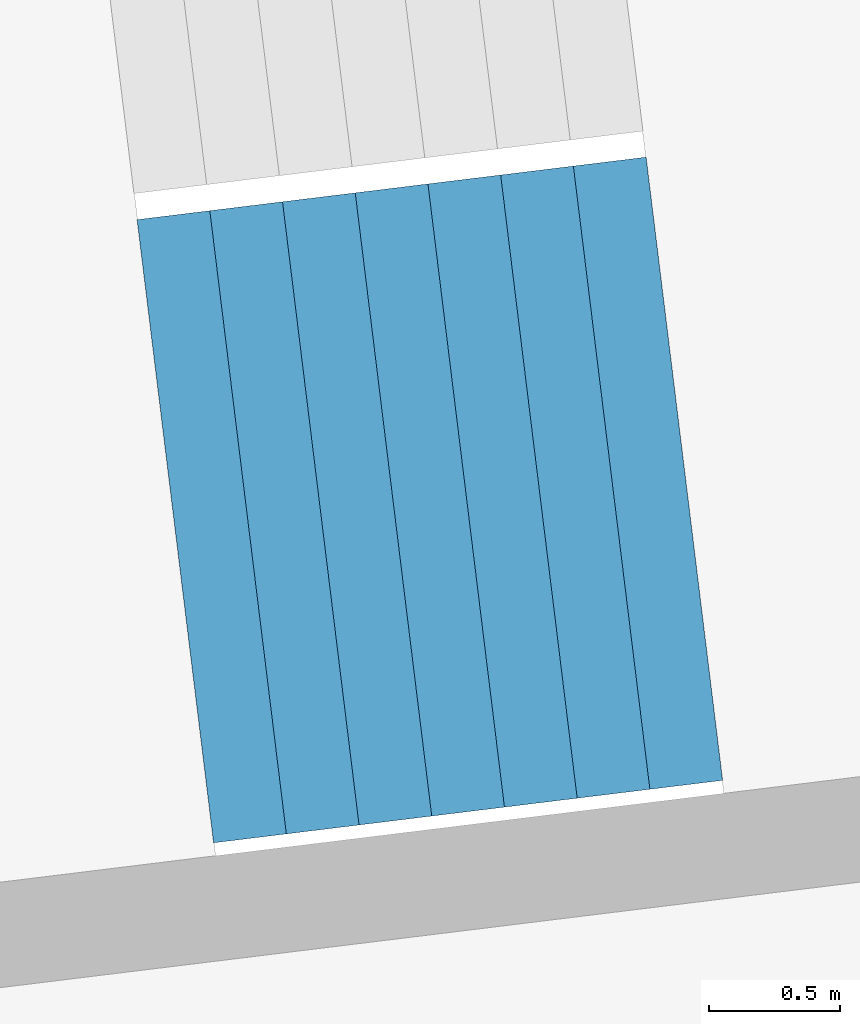
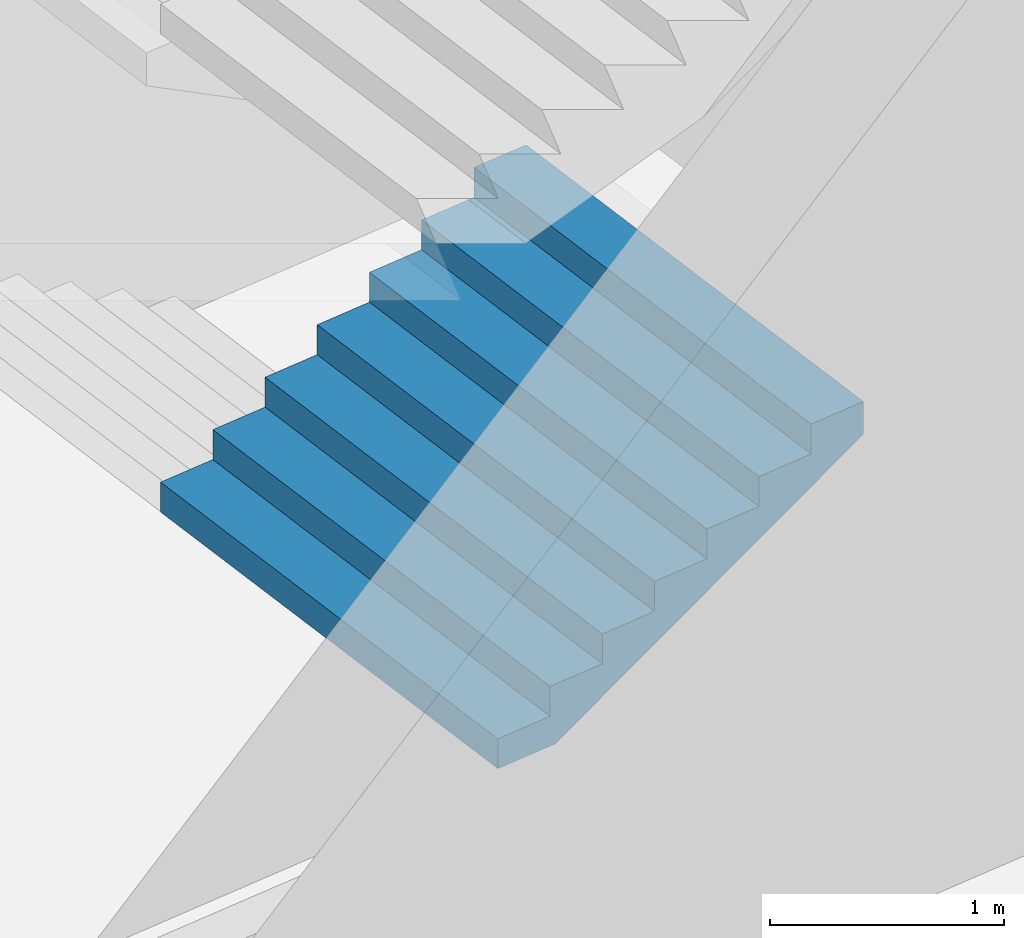
# One storey, part 23 of 73: 1 stair flight, 1 element without a shape of its own.
"""IFC4 building model written with IfcOpenShell, lengths in metres."""

import ifcopenshell
import ifcopenshell.guid

model = None  # the IFC model being written
_history = None  # IfcOwnerHistory: only IFC2X3 demands one
_inside = {}  # id of a spatial element -> (the spatial element, [elements in it])
_under = {}  # id of a project, library or spatial element -> (it, [spatial elements below it])
_declared = {}  # id of a project -> (the project, [libraries it declares])
_typed = {}  # id of a type object -> (the type object, [elements of that type])
_made_of = {}  # id of a material, layer set ... -> (it, [elements and type objects made of it])


def new_model(schema):
    """Start an empty IFC model of exactly this schema.

    Asked for "IFC4X3", IfcOpenShell would pick the latest addendum, in which some entities
    have other attributes; the version numbers below select the first issue.
    IFC2X3 requires an IfcOwnerHistory on every rooted entity: one is made here for all.
    """
    global model, _history
    if schema == "IFC4X3":
        model = ifcopenshell.file(schema_version=(4, 3, 0, 0))
    else:
        model = ifcopenshell.file(schema=schema)
    _inside.clear()
    _under.clear()
    _declared.clear()
    _typed.clear()
    _made_of.clear()
    _history = None
    if model.schema == "IFC2X3":
        org = make("IfcOrganization", Name="unknown")
        user = make(
            "IfcPersonAndOrganization",
            ThePerson=make("IfcPerson", FamilyName="unknown"),
            TheOrganization=org,
        )
        app = make(
            "IfcApplication",
            ApplicationDeveloper=org,
            Version="unknown",
            ApplicationFullName="unknown",
            ApplicationIdentifier="unknown",
        )
        _history = make(
            "IfcOwnerHistory",
            OwningUser=user,
            OwningApplication=app,
            ChangeAction="ADDED",
            CreationDate=0,
        )
    return model


def make(cls, **values):
    """One entity of the class cls with the attributes given. An attribute that is None is left unset."""
    return model.create_entity(
        cls, **{name: value for name, value in values.items() if value is not None}
    )


def rooted(cls, **values):
    """An entity with a GlobalId (a new one), such as an element, a storey or a relation."""
    return make(cls, GlobalId=ifcopenshell.guid.new(), OwnerHistory=_history, **values)


def si_unit(unit_type, name, prefix=None):
    """IfcSIUnit, for example si_unit("LENGTHUNIT", "METRE", prefix="MILLI")."""
    return make("IfcSIUnit", UnitType=unit_type, Prefix=prefix, Name=name)


def assignment(units):
    """IfcUnitAssignment: the units of a project."""
    return None if units is None else make("IfcUnitAssignment", Units=units)


def point(xyz):
    """IfcCartesianPoint."""
    return None if xyz is None else make("IfcCartesianPoint", Coordinates=xyz)


def direction(xyz):
    """IfcDirection."""
    return None if xyz is None else make("IfcDirection", DirectionRatios=xyz)


def frame(location, z_axis=None, x_axis=None):
    """IfcAxis2Placement3D, a coordinate frame: its origin and axes. An axis left out is left unset."""
    return make(
        "IfcAxis2Placement3D",
        Location=point(location),
        Axis=direction(z_axis),
        RefDirection=direction(x_axis),
    )


def origin():
    """The frame at (0, 0, 0) with its axes left unset."""
    return frame((0.0, 0.0, 0.0))


def place(relative_to, where):
    """IfcLocalPlacement: puts the frame where relative to a parent placement (None: the world)."""
    return make(
        "IfcLocalPlacement", PlacementRelTo=relative_to, RelativePlacement=where
    )


def context(
    kind, dimensions, precision=None, world=None, true_north=None, identifier=None
):
    """IfcGeometricRepresentationContext, for example the 3D "Model" context."""
    return make(
        "IfcGeometricRepresentationContext",
        ContextIdentifier=identifier,
        ContextType=kind,
        CoordinateSpaceDimension=dimensions,
        Precision=precision,
        WorldCoordinateSystem=world,
        TrueNorth=true_north,
    )


def subcontext(parent, identifier, kind, view, scale=None):
    """IfcGeometricRepresentationSubContext, for example "Body" below "Model"."""
    return make(
        "IfcGeometricRepresentationSubContext",
        ContextIdentifier=identifier,
        ContextType=kind,
        ParentContext=parent,
        TargetScale=scale,
        TargetView=view,
    )


def project(units=None, contexts=None):
    """IfcProject with its units and contexts."""
    return rooted(
        "IfcProject",
        Name="project",
        RepresentationContexts=contexts,
        UnitsInContext=assignment(units),
    )


def spatial(cls, under=None, at=None, **own):
    """A site, building, storey or space (cls), placed at a placement, below another one or the project."""
    s = rooted(cls, ObjectPlacement=at, **own)
    if under is not None:
        _under.setdefault(under.id(), (under, []))[1].append(s)
    return s


def point_list(points):
    """IfcCartesianPointList2D or 3D."""
    cls = (
        "IfcCartesianPointList2D" if len(points[0]) == 2 else "IfcCartesianPointList3D"
    )
    return make(cls, CoordList=points)


def triangles(points, corners, closed=None, point_numbers=None):
    """IfcTriangulatedFaceSet: each triangle names its three corners, points numbered from 1."""
    return make(
        "IfcTriangulatedFaceSet",
        Coordinates=point_list(points),
        Closed=closed,
        CoordIndex=corners,
        PnIndex=point_numbers,
    )


def shape(context_of_items, identifier, shape_type, items):
    """IfcShapeRepresentation: the items that make up one representation, for example the "Body"."""
    return make(
        "IfcShapeRepresentation",
        ContextOfItems=context_of_items,
        RepresentationIdentifier=identifier,
        RepresentationType=shape_type,
        Items=items,
    )


def material(Name=None, Category=None):
    """IfcMaterial."""
    return make("IfcMaterial", Name=Name, Category=Category)


def made_of(thing, what):
    """Note that an element or type object is made of a material, layer set ...; save() writes the relation."""
    if what is not None:
        _made_of.setdefault(what.id(), (what, []))[1].append(thing)
    return thing


def type_object(cls, material=None, **own):
    """A type object (cls), such as IfcWallType, which elements share."""
    return made_of(rooted(cls, **own), material)


def element(
    cls,
    number,
    at=None,
    inside=None,
    cuts=None,
    type_object=None,
    material=None,
    context=None,
    identifier="Body",
    shape_type=None,
    held_by="IfcProductDefinitionShape",
    body=None,
    shapes=None,
    **own,
):
    """One element of the class cls, such as IfcWall. Its Tag is "e" and its number.

    at: its placement. inside: the storey or other place that contains it. cuts: it is an
    opening in that element (IfcRelVoidsElement). A single representation is given by context,
    identifier, shape_type and body (its items); several are given by shapes. held_by: the class
    of the entity that holds the representations. save() writes the other relations.
    """
    e = rooted(cls, Tag="e%d" % number, ObjectPlacement=at, **own)
    if body is not None:
        shapes = [shape(context, identifier, shape_type, body)]
    if shapes is not None:
        e.Representation = make(held_by, Representations=shapes)
    if inside is not None:
        _inside.setdefault(inside.id(), (inside, []))[1].append(e)
    if cuts is not None:
        rooted(
            "IfcRelVoidsElement", RelatingBuildingElement=cuts, RelatedOpeningElement=e
        )
    if type_object is not None:
        _typed.setdefault(type_object.id(), (type_object, []))[1].append(e)
    return made_of(e, material)


def aggregate(whole, parts):
    """IfcRelAggregates: a whole, such as a stair, and the parts it consists of."""
    return rooted("IfcRelAggregates", RelatingObject=whole, RelatedObjects=parts)


def save(model, path):
    """Write the relations noted so far, then the file.

    IfcRelAggregates (storeys below a building ...), IfcRelContainedInSpatialStructure (elements
    in a storey), IfcRelDefinesByType, IfcRelAssociatesMaterial and IfcRelDeclares: one each for
    every whole, place, type object, material and project.
    """
    for whole, parts in _under.values():
        aggregate(whole, parts)
    for where, things in _inside.values():
        rooted(
            "IfcRelContainedInSpatialStructure",
            RelatedElements=things,
            RelatingStructure=where,
        )
    for kind, things in _typed.values():
        rooted("IfcRelDefinesByType", RelatedObjects=things, RelatingType=kind)
    for what, things in _made_of.values():
        rooted("IfcRelAssociatesMaterial", RelatedObjects=things, RelatingMaterial=what)
    for by, libraries in _declared.values():
        rooted("IfcRelDeclares", RelatingContext=by, RelatedDefinitions=libraries)
    model.write(path)


model = new_model("IFC4")

# Units and contexts
model_context = context("Model", 3, precision=1e-05, world=origin(), true_north=direction((0.0, 1.0)))
body_context = subcontext(model_context, "Body", "Model", "MODEL_VIEW")
ifc_project = project(units=[si_unit("LENGTHUNIT", "METRE"), si_unit("AREAUNIT", "SQUARE_METRE"), si_unit("VOLUMEUNIT", "CUBIC_METRE"), si_unit("PLANEANGLEUNIT", "RADIAN"), si_unit("MASSUNIT", "GRAM", prefix="KILO")], contexts=[model_context])

# Site, building, storey
site_placement = place(None, origin())
site = spatial("IfcSite", under=ifc_project, at=site_placement, CompositionType="ELEMENT")
building_placement = place(site_placement, origin())
building = spatial("IfcBuilding", under=site, at=building_placement, Name="Lantaw Convention Tower", CompositionType="ELEMENT")
storey_placement = place(building_placement, frame((0.0, 0.0, 27.0)))
storey = spatial("IfcBuildingStorey", under=building, at=storey_placement, Name="L04", CompositionType="ELEMENT", Elevation=27.0)

# Stair, stair flight
ifc_material = material(Name="Concrete C35/45", Category="concrete")
stair_type = type_object("IfcStairType", Name="Exit stair 2400 riser 156.25 in 4 flights", PredefinedType="HALF_TURN_STAIR", material=ifc_material)
stair_placement = place(storey_placement, origin())
stair = element("IfcStair", 1, at=stair_placement, inside=storey, type_object=stair_type, Name="Podium exit stair P10 L04", PredefinedType="HALF_TURN_STAIR")
stair_flight_type = type_object("IfcStairFlightType", Name="Stair flight 2400 riser 156.25", PredefinedType="STRAIGHT", material=ifc_material)
stair_flight_placement = place(storey_placement, frame((-36.802978515625, -5.7783203125, 1.25), z_axis=(0.0, 0.0, 1.0), x_axis=(0.992546151641, 0.121869343405, 0.0)))
stair_flight = element("IfcStairFlight", 2, at=stair_flight_placement, type_object=stair_flight_type, Name="P10 flight 2", NumberOfRisers=8, NumberOfTreads=7, PredefinedType="STRAIGHT", RiserHeight=0.15625, TreadLength=0.28, context=body_context, shape_type="Tessellation", body=[
    triangles([(0.0, 1.199951171875, 0.0), (0.0, 1.199951171875, 0.15625), (0.28, 1.199951171875, 0.0), (0.28, 1.199951171875, 0.15625), (0.28, 1.199951171875, 0.3125), (0.3076200632058044, 1.199951171875, 0.0), (0.3076200632058044, 1.199951171875, 0.3125), (0.56, 1.199951171875, 0.14083701830033238), (0.56, 1.199951171875, 0.3125), (0.56, 1.199951171875, 0.46875), (0.8400000000000001, 1.199951171875, 0.29708701830033235), (0.8400000000000001, 1.199951171875, 0.46875), (0.8400000000000001, 1.199951171875, 0.625), (1.12, 1.199951171875, 0.45333701830033235), (1.12, 1.199951171875, 0.625), (1.12, 1.199951171875, 0.78125), (1.4000000000000001, 1.199951171875, 0.6095870183003324), (1.4000000000000001, 1.199951171875, 0.78125), (1.4000000000000001, 1.199951171875, 0.9375), (1.6800000000000002, 1.199951171875, 0.7658370183003324), (1.6800000000000002, 1.199951171875, 0.9375), (1.6800000000000002, 1.199951171875, 1.09375), (1.9600000000000002, 1.199951171875, 0.9220870183003324), (1.9600000000000002, 1.199951171875, 1.09375), (0.0, -1.199951171875, 0.0), (0.0, -1.199951171875, 0.15625), (0.28, -1.199951171875, 0.0), (0.28, -1.199951171875, 0.15625), (0.28, -1.199951171875, 0.3125), (0.3076200632058044, -1.199951171875, 0.0), (0.3076200632058044, -1.199951171875, 0.3125), (0.56, -1.199951171875, 0.14083701830033238), (0.56, -1.199951171875, 0.3125), (0.56, -1.199951171875, 0.46875), (0.8400000000000001, -1.199951171875, 0.29708701830033235), (0.8400000000000001, -1.199951171875, 0.46875), (0.8400000000000001, -1.199951171875, 0.625), (1.12, -1.199951171875, 0.45333701830033235), (1.12, -1.199951171875, 0.625), (1.12, -1.199951171875, 0.78125), (1.4000000000000001, -1.199951171875, 0.6095870183003324), (1.4000000000000001, -1.199951171875, 0.78125), (1.4000000000000001, -1.199951171875, 0.9375), (1.6800000000000002, -1.199951171875, 0.7658370183003324), (1.6800000000000002, -1.199951171875, 0.9375), (1.6800000000000002, -1.199951171875, 1.09375), (1.9600000000000002, -1.199951171875, 0.9220870183003324), (1.9600000000000002, -1.199951171875, 1.09375), (0.0, 0.239990234375, 0.15625), (0.0, 0.239990234375, 0.0), (0.0, 0.1919921875, 0.15625), (0.0, 0.1919921875, 0.0), (0.0, 0.143994140625, 0.15625), (0.0, 0.143994140625, 0.0), (0.0, 0.09599609375, 0.15625), (0.0, 0.09599609375, 0.0), (0.0, 0.047998046875, 0.15625), (0.0, 0.047998046875, 0.0), (0.0, 0.0, 0.15625), (0.0, 0.0, 0.0), (0.0, -0.047998046875, 0.15625), (0.0, -0.047998046875, 0.0), (0.0, -0.09599609375, 0.15625), (0.0, -0.09599609375, 0.0), (0.0, -0.143994140625, 0.15625), (0.0, -0.143994140625, 0.0), (0.0, -0.1919921875, 0.15625), (0.0, -0.1919921875, 0.0), (0.0, -0.239990234375, 0.15625), (0.0, -0.239990234375, 0.0), (0.28, 0.239990234375, 0.3125), (0.28, 0.239990234375, 0.15625), (0.28, 0.1919921875, 0.3125), (0.28, 0.1919921875, 0.15625), (0.28, 0.143994140625, 0.3125), (0.28, 0.143994140625, 0.15625), (0.28, 0.09599609375, 0.3125), (0.28, 0.09599609375, 0.15625), (0.28, 0.047998046875, 0.3125), (0.28, 0.047998046875, 0.15625), (0.28, 0.0, 0.3125), (0.28, 0.0, 0.15625), (0.28, -0.047998046875, 0.3125), (0.28, -0.047998046875, 0.15625), (0.28, -0.09599609375, 0.3125), (0.28, -0.09599609375, 0.15625), (0.28, -0.143994140625, 0.3125), (0.28, -0.143994140625, 0.15625), (0.28, -0.1919921875, 0.3125), (0.28, -0.1919921875, 0.15625), (0.28, -0.239990234375, 0.3125), (0.28, -0.239990234375, 0.15625), (0.56, 0.239990234375, 0.46875), (0.56, 0.239990234375, 0.3125), (0.56, 0.1919921875, 0.46875), (0.56, 0.1919921875, 0.3125), (0.56, 0.143994140625, 0.46875), (0.56, 0.143994140625, 0.3125), (0.56, 0.09599609375, 0.46875), (0.56, 0.09599609375, 0.3125), (0.56, 0.047998046875, 0.46875), (0.56, 0.047998046875, 0.3125), (0.56, 0.0, 0.46875), (0.56, 0.0, 0.3125), (0.56, -0.047998046875, 0.46875), (0.56, -0.047998046875, 0.3125), (0.56, -0.09599609375, 0.46875), (0.56, -0.09599609375, 0.3125), (0.56, -0.143994140625, 0.46875), (0.56, -0.143994140625, 0.3125), (0.56, -0.1919921875, 0.46875), (0.56, -0.1919921875, 0.3125), (0.56, -0.239990234375, 0.46875), (0.56, -0.239990234375, 0.3125), (0.8400000000000001, 0.239990234375, 0.625), (0.8400000000000001, 0.239990234375, 0.46875), (0.8400000000000001, 0.1919921875, 0.625), (0.8400000000000001, 0.1919921875, 0.46875), (0.8400000000000001, 0.143994140625, 0.625), (0.8400000000000001, 0.143994140625, 0.46875), (0.8400000000000001, 0.09599609375, 0.625), (0.8400000000000001, 0.09599609375, 0.46875), (0.8400000000000001, 0.047998046875, 0.625), (0.8400000000000001, 0.047998046875, 0.46875), (0.8400000000000001, 0.0, 0.625), (0.8400000000000001, 0.0, 0.46875), (0.8400000000000001, -0.047998046875, 0.625), (0.8400000000000001, -0.047998046875, 0.46875), (0.8400000000000001, -0.09599609375, 0.625), (0.8400000000000001, -0.09599609375, 0.46875), (0.8400000000000001, -0.143994140625, 0.625), (0.8400000000000001, -0.143994140625, 0.46875), (0.8400000000000001, -0.1919921875, 0.625), (0.8400000000000001, -0.1919921875, 0.46875), (0.8400000000000001, -0.239990234375, 0.625), (0.8400000000000001, -0.239990234375, 0.46875), (1.12, 0.239990234375, 0.78125), (1.12, 0.239990234375, 0.625), (1.12, 0.1919921875, 0.78125), (1.12, 0.1919921875, 0.625), (1.12, 0.143994140625, 0.78125), (1.12, 0.143994140625, 0.625), (1.12, 0.09599609375, 0.78125), (1.12, 0.09599609375, 0.625), (1.12, 0.047998046875, 0.78125), (1.12, 0.047998046875, 0.625), (1.12, 0.0, 0.78125), (1.12, 0.0, 0.625), (1.12, -0.047998046875, 0.78125), (1.12, -0.047998046875, 0.625), (1.12, -0.09599609375, 0.78125), (1.12, -0.09599609375, 0.625), (1.12, -0.143994140625, 0.78125), (1.12, -0.143994140625, 0.625), (1.12, -0.1919921875, 0.78125), (1.12, -0.1919921875, 0.625), (1.12, -0.239990234375, 0.78125), (1.12, -0.239990234375, 0.625), (1.4000000000000001, 0.239990234375, 0.9375), (1.4000000000000001, 0.239990234375, 0.78125), (1.4000000000000001, 0.1919921875, 0.9375), (1.4000000000000001, 0.1919921875, 0.78125), (1.4000000000000001, 0.143994140625, 0.9375), (1.4000000000000001, 0.143994140625, 0.78125), (1.4000000000000001, 0.09599609375, 0.9375), (1.4000000000000001, 0.09599609375, 0.78125), (1.4000000000000001, 0.047998046875, 0.9375), (1.4000000000000001, 0.047998046875, 0.78125), (1.4000000000000001, 0.0, 0.9375), (1.4000000000000001, 0.0, 0.78125), (1.4000000000000001, -0.047998046875, 0.9375), (1.4000000000000001, -0.047998046875, 0.78125), (1.4000000000000001, -0.09599609375, 0.9375), (1.4000000000000001, -0.09599609375, 0.78125), (1.4000000000000001, -0.143994140625, 0.9375), (1.4000000000000001, -0.143994140625, 0.78125), (1.4000000000000001, -0.1919921875, 0.9375), (1.4000000000000001, -0.1919921875, 0.78125), (1.4000000000000001, -0.239990234375, 0.9375), (1.4000000000000001, -0.239990234375, 0.78125), (1.6800000000000002, 0.239990234375, 1.09375), (1.6800000000000002, 0.239990234375, 0.9375), (1.6800000000000002, 0.1919921875, 1.09375), (1.6800000000000002, 0.1919921875, 0.9375), (1.6800000000000002, 0.143994140625, 1.09375), (1.6800000000000002, 0.143994140625, 0.9375), (1.6800000000000002, 0.09599609375, 1.09375), (1.6800000000000002, 0.09599609375, 0.9375), (1.6800000000000002, 0.047998046875, 1.09375), (1.6800000000000002, 0.047998046875, 0.9375), (1.6800000000000002, 0.0, 1.09375), (1.6800000000000002, 0.0, 0.9375), (1.6800000000000002, -0.047998046875, 1.09375), (1.6800000000000002, -0.047998046875, 0.9375), (1.6800000000000002, -0.09599609375, 1.09375), (1.6800000000000002, -0.09599609375, 0.9375), (1.6800000000000002, -0.143994140625, 1.09375), (1.6800000000000002, -0.143994140625, 0.9375), (1.6800000000000002, -0.1919921875, 1.09375), (1.6800000000000002, -0.1919921875, 0.9375), (1.6800000000000002, -0.239990234375, 1.09375), (1.6800000000000002, -0.239990234375, 0.9375), (0.3076200632058044, 0.239990234375, 0.3125), (0.3076200632058044, 0.1919921875, 0.3125), (0.3076200632058044, 0.143994140625, 0.3125), (0.3076200632058044, 0.09599609375, 0.3125), (0.3076200632058044, 0.047998046875, 0.3125), (0.3076200632058044, 0.0, 0.3125), (0.3076200632058044, -0.047998046875, 0.3125), (0.3076200632058044, -0.09599609375, 0.3125), (0.3076200632058044, -0.143994140625, 0.3125), (0.3076200632058044, -0.1919921875, 0.3125), (0.3076200632058044, -0.239990234375, 0.3125), (1.9600000000000002, 0.239990234375, 1.09375), (1.9600000000000002, 0.1919921875, 1.09375), (1.9600000000000002, 0.143994140625, 1.09375), (1.9600000000000002, 0.09599609375, 1.09375), (1.9600000000000002, 0.047998046875, 1.09375), (1.9600000000000002, 0.0, 1.09375), (1.9600000000000002, -0.047998046875, 1.09375), (1.9600000000000002, -0.09599609375, 1.09375), (1.9600000000000002, -0.143994140625, 1.09375), (1.9600000000000002, -0.1919921875, 1.09375), (1.9600000000000002, -0.239990234375, 1.09375), (1.9600000000000002, 0.239990234375, 0.9220870183003324), (1.9600000000000002, 0.1919921875, 0.9220870183003324), (1.9600000000000002, 0.143994140625, 0.9220870183003324), (1.9600000000000002, 0.09599609375, 0.9220870183003324), (1.9600000000000002, 0.047998046875, 0.9220870183003324), (1.9600000000000002, 0.0, 0.9220870183003324), (1.9600000000000002, -0.047998046875, 0.9220870183003324), (1.9600000000000002, -0.09599609375, 0.9220870183003324), (1.9600000000000002, -0.143994140625, 0.9220870183003324), (1.9600000000000002, -0.1919921875, 0.9220870183003324), (1.9600000000000002, -0.239990234375, 0.9220870183003324), (1.6800000000000002, 0.239990234375, 0.7658370183003324), (1.6800000000000002, 0.1919921875, 0.7658370183003324), (1.6800000000000002, 0.143994140625, 0.7658370183003324), (1.6800000000000002, 0.09599609375, 0.7658370183003324), (1.6800000000000002, 0.047998046875, 0.7658370183003324), (1.6800000000000002, 0.0, 0.7658370183003324), (1.6800000000000002, -0.047998046875, 0.7658370183003324), (1.6800000000000002, -0.09599609375, 0.7658370183003324), (1.6800000000000002, -0.143994140625, 0.7658370183003324), (1.6800000000000002, -0.1919921875, 0.7658370183003324), (1.6800000000000002, -0.239990234375, 0.7658370183003324), (1.4000000000000001, 0.239990234375, 0.6095870183003324), (1.4000000000000001, 0.1919921875, 0.6095870183003324), (1.4000000000000001, 0.143994140625, 0.6095870183003324), (1.4000000000000001, 0.09599609375, 0.6095870183003324), (1.4000000000000001, 0.047998046875, 0.6095870183003324), (1.4000000000000001, 0.0, 0.6095870183003324), (1.4000000000000001, -0.047998046875, 0.6095870183003324), (1.4000000000000001, -0.09599609375, 0.6095870183003324), (1.4000000000000001, -0.143994140625, 0.6095870183003324), (1.4000000000000001, -0.1919921875, 0.6095870183003324), (1.4000000000000001, -0.239990234375, 0.6095870183003324), (1.12, 0.239990234375, 0.45333701830033235), (1.12, 0.1919921875, 0.45333701830033235), (1.12, 0.143994140625, 0.45333701830033235), (1.12, 0.09599609375, 0.45333701830033235), (1.12, 0.047998046875, 0.45333701830033235), (1.12, 0.0, 0.45333701830033235), (1.12, -0.047998046875, 0.45333701830033235), (1.12, -0.09599609375, 0.45333701830033235), (1.12, -0.143994140625, 0.45333701830033235), (1.12, -0.1919921875, 0.45333701830033235), (1.12, -0.239990234375, 0.45333701830033235), (0.8400000000000001, 0.239990234375, 0.29708701830033235), (0.8400000000000001, 0.1919921875, 0.29708701830033235), (0.8400000000000001, 0.143994140625, 0.29708701830033235), (0.8400000000000001, 0.09599609375, 0.29708701830033235), (0.8400000000000001, 0.047998046875, 0.29708701830033235), (0.8400000000000001, 0.0, 0.29708701830033235), (0.8400000000000001, -0.047998046875, 0.29708701830033235), (0.8400000000000001, -0.09599609375, 0.29708701830033235), (0.8400000000000001, -0.143994140625, 0.29708701830033235), (0.8400000000000001, -0.1919921875, 0.29708701830033235), (0.8400000000000001, -0.239990234375, 0.29708701830033235), (0.56, 0.239990234375, 0.14083701830033238), (0.56, 0.1919921875, 0.14083701830033238), (0.56, 0.143994140625, 0.14083701830033238), (0.56, 0.09599609375, 0.14083701830033238), (0.56, 0.047998046875, 0.14083701830033238), (0.56, 0.0, 0.14083701830033238), (0.56, -0.047998046875, 0.14083701830033238), (0.56, -0.09599609375, 0.14083701830033238), (0.56, -0.143994140625, 0.14083701830033238), (0.56, -0.1919921875, 0.14083701830033238), (0.56, -0.239990234375, 0.14083701830033238), (0.3076200632058044, 0.239990234375, 0.0), (0.3076200632058044, 0.1919921875, 0.0), (0.3076200632058044, 0.143994140625, 0.0), (0.3076200632058044, 0.09599609375, 0.0), (0.3076200632058044, 0.047998046875, 0.0), (0.3076200632058044, 0.0, 0.0), (0.3076200632058044, -0.047998046875, 0.0), (0.3076200632058044, -0.09599609375, 0.0), (0.3076200632058044, -0.143994140625, 0.0), (0.3076200632058044, -0.1919921875, 0.0), (0.3076200632058044, -0.239990234375, 0.0), (0.28, 0.239990234375, 0.0), (0.28, 0.1919921875, 0.0), (0.28, 0.143994140625, 0.0), (0.28, 0.09599609375, 0.0), (0.28, 0.047998046875, 0.0), (0.28, 0.0, 0.0), (0.28, -0.047998046875, 0.0), (0.28, -0.09599609375, 0.0), (0.28, -0.143994140625, 0.0), (0.28, -0.1919921875, 0.0), (0.28, -0.239990234375, 0.0)], [[1, 4, 3], [1, 2, 4], [3, 4, 6], [4, 7, 6], [4, 5, 7], [6, 9, 8], [6, 7, 9], [8, 9, 11], [9, 12, 11], [9, 10, 12], [11, 12, 14], [12, 15, 14], [12, 13, 15], [14, 15, 17], [15, 18, 17], [15, 16, 18], [17, 18, 20], [18, 21, 20], [18, 19, 21], [20, 21, 23], [21, 24, 23], [21, 22, 24], [25, 27, 28], [25, 28, 26], [27, 30, 28], [28, 30, 31], [28, 31, 29], [30, 32, 33], [30, 33, 31], [32, 35, 33], [33, 35, 36], [33, 36, 34], [35, 38, 36], [36, 38, 39], [36, 39, 37], [38, 41, 39], [39, 41, 42], [39, 42, 40], [41, 44, 42], [42, 44, 45], [42, 45, 43], [44, 47, 45], [45, 47, 48], [45, 48, 46], [1, 49, 2], [1, 50, 49], [50, 51, 49], [50, 52, 51], [52, 53, 51], [52, 54, 53], [54, 55, 53], [54, 56, 55], [56, 57, 55], [56, 58, 57], [58, 59, 57], [58, 60, 59], [60, 61, 59], [60, 62, 61], [62, 63, 61], [62, 64, 63], [64, 65, 63], [64, 66, 65], [66, 67, 65], [66, 68, 67], [68, 69, 67], [68, 70, 69], [70, 26, 69], [70, 25, 26], [4, 71, 5], [4, 72, 71], [72, 73, 71], [72, 74, 73], [74, 75, 73], [74, 76, 75], [76, 77, 75], [76, 78, 77], [78, 79, 77], [78, 80, 79], [80, 81, 79], [80, 82, 81], [82, 83, 81], [82, 84, 83], [84, 85, 83], [84, 86, 85], [86, 87, 85], [86, 88, 87], [88, 89, 87], [88, 90, 89], [90, 91, 89], [90, 92, 91], [92, 29, 91], [92, 28, 29], [9, 93, 10], [9, 94, 93], [94, 95, 93], [94, 96, 95], [96, 97, 95], [96, 98, 97], [98, 99, 97], [98, 100, 99], [100, 101, 99], [100, 102, 101], [102, 103, 101], [102, 104, 103], [104, 105, 103], [104, 106, 105], [106, 107, 105], [106, 108, 107], [108, 109, 107], [108, 110, 109], [110, 111, 109], [110, 112, 111], [112, 113, 111], [112, 114, 113], [114, 34, 113], [114, 33, 34], [12, 115, 13], [12, 116, 115], [116, 117, 115], [116, 118, 117], [118, 119, 117], [118, 120, 119], [120, 121, 119], [120, 122, 121], [122, 123, 121], [122, 124, 123], [124, 125, 123], [124, 126, 125], [126, 127, 125], [126, 128, 127], [128, 129, 127], [128, 130, 129], [130, 131, 129], [130, 132, 131], [132, 133, 131], [132, 134, 133], [134, 135, 133], [134, 136, 135], [136, 37, 135], [136, 36, 37], [15, 137, 16], [15, 138, 137], [138, 139, 137], [138, 140, 139], [140, 141, 139], [140, 142, 141], [142, 143, 141], [142, 144, 143], [144, 145, 143], [144, 146, 145], [146, 147, 145], [146, 148, 147], [148, 149, 147], [148, 150, 149], [150, 151, 149], [150, 152, 151], [152, 153, 151], [152, 154, 153], [154, 155, 153], [154, 156, 155], [156, 157, 155], [156, 158, 157], [158, 40, 157], [158, 39, 40], [18, 159, 19], [18, 160, 159], [160, 161, 159], [160, 162, 161], [162, 163, 161], [162, 164, 163], [164, 165, 163], [164, 166, 165], [166, 167, 165], [166, 168, 167], [168, 169, 167], [168, 170, 169], [170, 171, 169], [170, 172, 171], [172, 173, 171], [172, 174, 173], [174, 175, 173], [174, 176, 175], [176, 177, 175], [176, 178, 177], [178, 179, 177], [178, 180, 179], [180, 43, 179], [180, 42, 43], [21, 181, 22], [21, 182, 181], [182, 183, 181], [182, 184, 183], [184, 185, 183], [184, 186, 185], [186, 187, 185], [186, 188, 187], [188, 189, 187], [188, 190, 189], [190, 191, 189], [190, 192, 191], [192, 193, 191], [192, 194, 193], [194, 195, 193], [194, 196, 195], [196, 197, 195], [196, 198, 197], [198, 199, 197], [198, 200, 199], [200, 201, 199], [200, 202, 201], [202, 46, 201], [202, 45, 46], [2, 72, 4], [2, 49, 72], [49, 74, 72], [49, 51, 74], [51, 76, 74], [51, 53, 76], [53, 78, 76], [53, 55, 78], [55, 80, 78], [55, 57, 80], [57, 82, 80], [57, 59, 82], [59, 84, 82], [59, 61, 84], [61, 86, 84], [61, 63, 86], [63, 88, 86], [63, 65, 88], [65, 90, 88], [65, 67, 90], [67, 92, 90], [67, 69, 92], [69, 28, 92], [69, 26, 28], [5, 203, 7], [5, 71, 203], [71, 204, 203], [71, 73, 204], [73, 205, 204], [73, 75, 205], [75, 206, 205], [75, 77, 206], [77, 207, 206], [77, 79, 207], [79, 208, 207], [79, 81, 208], [81, 209, 208], [81, 83, 209], [83, 210, 209], [83, 85, 210], [85, 211, 210], [85, 87, 211], [87, 212, 211], [87, 89, 212], [89, 213, 212], [89, 91, 213], [91, 31, 213], [91, 29, 31], [7, 94, 9], [7, 203, 94], [203, 96, 94], [203, 204, 96], [204, 98, 96], [204, 205, 98], [205, 100, 98], [205, 206, 100], [206, 102, 100], [206, 207, 102], [207, 104, 102], [207, 208, 104], [208, 106, 104], [208, 209, 106], [209, 108, 106], [209, 210, 108], [210, 110, 108], [210, 211, 110], [211, 112, 110], [211, 212, 112], [212, 114, 112], [212, 213, 114], [213, 33, 114], [213, 31, 33], [10, 116, 12], [10, 93, 116], [93, 118, 116], [93, 95, 118], [95, 120, 118], [95, 97, 120], [97, 122, 120], [97, 99, 122], [99, 124, 122], [99, 101, 124], [101, 126, 124], [101, 103, 126], [103, 128, 126], [103, 105, 128], [105, 130, 128], [105, 107, 130], [107, 132, 130], [107, 109, 132], [109, 134, 132], [109, 111, 134], [111, 136, 134], [111, 113, 136], [113, 36, 136], [113, 34, 36], [13, 138, 15], [13, 115, 138], [115, 140, 138], [115, 117, 140], [117, 142, 140], [117, 119, 142], [119, 144, 142], [119, 121, 144], [121, 146, 144], [121, 123, 146], [123, 148, 146], [123, 125, 148], [125, 150, 148], [125, 127, 150], [127, 152, 150], [127, 129, 152], [129, 154, 152], [129, 131, 154], [131, 156, 154], [131, 133, 156], [133, 158, 156], [133, 135, 158], [135, 39, 158], [135, 37, 39], [16, 160, 18], [16, 137, 160], [137, 162, 160], [137, 139, 162], [139, 164, 162], [139, 141, 164], [141, 166, 164], [141, 143, 166], [143, 168, 166], [143, 145, 168], [145, 170, 168], [145, 147, 170], [147, 172, 170], [147, 149, 172], [149, 174, 172], [149, 151, 174], [151, 176, 174], [151, 153, 176], [153, 178, 176], [153, 155, 178], [155, 180, 178], [155, 157, 180], [157, 42, 180], [157, 40, 42], [19, 182, 21], [19, 159, 182], [159, 184, 182], [159, 161, 184], [161, 186, 184], [161, 163, 186], [163, 188, 186], [163, 165, 188], [165, 190, 188], [165, 167, 190], [167, 192, 190], [167, 169, 192], [169, 194, 192], [169, 171, 194], [171, 196, 194], [171, 173, 196], [173, 198, 196], [173, 175, 198], [175, 200, 198], [175, 177, 200], [177, 202, 200], [177, 179, 202], [179, 45, 202], [179, 43, 45], [22, 214, 24], [22, 181, 214], [181, 215, 214], [181, 183, 215], [183, 216, 215], [183, 185, 216], [185, 217, 216], [185, 187, 217], [187, 218, 217], [187, 189, 218], [189, 219, 218], [189, 191, 219], [191, 220, 219], [191, 193, 220], [193, 221, 220], [193, 195, 221], [195, 222, 221], [195, 197, 222], [197, 223, 222], [197, 199, 223], [199, 224, 223], [199, 201, 224], [201, 48, 224], [201, 46, 48], [24, 225, 23], [24, 214, 225], [214, 226, 225], [214, 215, 226], [215, 227, 226], [215, 216, 227], [216, 228, 227], [216, 217, 228], [217, 229, 228], [217, 218, 229], [218, 230, 229], [218, 219, 230], [219, 231, 230], [219, 220, 231], [220, 232, 231], [220, 221, 232], [221, 233, 232], [221, 222, 233], [222, 234, 233], [222, 223, 234], [223, 235, 234], [223, 224, 235], [224, 47, 235], [224, 48, 47], [23, 236, 20], [23, 225, 236], [225, 237, 236], [225, 226, 237], [226, 238, 237], [226, 227, 238], [227, 239, 238], [227, 228, 239], [228, 240, 239], [228, 229, 240], [229, 241, 240], [229, 230, 241], [230, 242, 241], [230, 231, 242], [231, 243, 242], [231, 232, 243], [232, 244, 243], [232, 233, 244], [233, 245, 244], [233, 234, 245], [234, 246, 245], [234, 235, 246], [235, 44, 246], [235, 47, 44], [20, 247, 17], [20, 236, 247], [236, 248, 247], [236, 237, 248], [237, 249, 248], [237, 238, 249], [238, 250, 249], [238, 239, 250], [239, 251, 250], [239, 240, 251], [240, 252, 251], [240, 241, 252], [241, 253, 252], [241, 242, 253], [242, 254, 253], [242, 243, 254], [243, 255, 254], [243, 244, 255], [244, 256, 255], [244, 245, 256], [245, 257, 256], [245, 246, 257], [246, 41, 257], [246, 44, 41], [17, 258, 14], [17, 247, 258], [247, 259, 258], [247, 248, 259], [248, 260, 259], [248, 249, 260], [249, 261, 260], [249, 250, 261], [250, 262, 261], [250, 251, 262], [251, 263, 262], [251, 252, 263], [252, 264, 263], [252, 253, 264], [253, 265, 264], [253, 254, 265], [254, 266, 265], [254, 255, 266], [255, 267, 266], [255, 256, 267], [256, 268, 267], [256, 257, 268], [257, 38, 268], [257, 41, 38], [14, 269, 11], [14, 258, 269], [258, 270, 269], [258, 259, 270], [259, 271, 270], [259, 260, 271], [260, 272, 271], [260, 261, 272], [261, 273, 272], [261, 262, 273], [262, 274, 273], [262, 263, 274], [263, 275, 274], [263, 264, 275], [264, 276, 275], [264, 265, 276], [265, 277, 276], [265, 266, 277], [266, 278, 277], [266, 267, 278], [267, 279, 278], [267, 268, 279], [268, 35, 279], [268, 38, 35], [11, 280, 8], [11, 269, 280], [269, 281, 280], [269, 270, 281], [270, 282, 281], [270, 271, 282], [271, 283, 282], [271, 272, 283], [272, 284, 283], [272, 273, 284], [273, 285, 284], [273, 274, 285], [274, 286, 285], [274, 275, 286], [275, 287, 286], [275, 276, 287], [276, 288, 287], [276, 277, 288], [277, 289, 288], [277, 278, 289], [278, 290, 289], [278, 279, 290], [279, 32, 290], [279, 35, 32], [8, 291, 6], [8, 280, 291], [280, 292, 291], [280, 281, 292], [281, 293, 292], [281, 282, 293], [282, 294, 293], [282, 283, 294], [283, 295, 294], [283, 284, 295], [284, 296, 295], [284, 285, 296], [285, 297, 296], [285, 286, 297], [286, 298, 297], [286, 287, 298], [287, 299, 298], [287, 288, 299], [288, 300, 299], [288, 289, 300], [289, 301, 300], [289, 290, 301], [290, 30, 301], [290, 32, 30], [6, 302, 3], [6, 291, 302], [291, 303, 302], [291, 292, 303], [292, 304, 303], [292, 293, 304], [293, 305, 304], [293, 294, 305], [294, 306, 305], [294, 295, 306], [295, 307, 306], [295, 296, 307], [296, 308, 307], [296, 297, 308], [297, 309, 308], [297, 298, 309], [298, 310, 309], [298, 299, 310], [299, 311, 310], [299, 300, 311], [300, 312, 311], [300, 301, 312], [301, 27, 312], [301, 30, 27], [3, 50, 1], [3, 302, 50], [302, 52, 50], [302, 303, 52], [303, 54, 52], [303, 304, 54], [304, 56, 54], [304, 305, 56], [305, 58, 56], [305, 306, 58], [306, 60, 58], [306, 307, 60], [307, 62, 60], [307, 308, 62], [308, 64, 62], [308, 309, 64], [309, 66, 64], [309, 310, 66], [310, 68, 66], [310, 311, 68], [311, 70, 68], [311, 312, 70], [312, 25, 70], [312, 27, 25]], closed=True),
])
aggregate(stair, [stair_flight])

save(model, "model.ifc")
